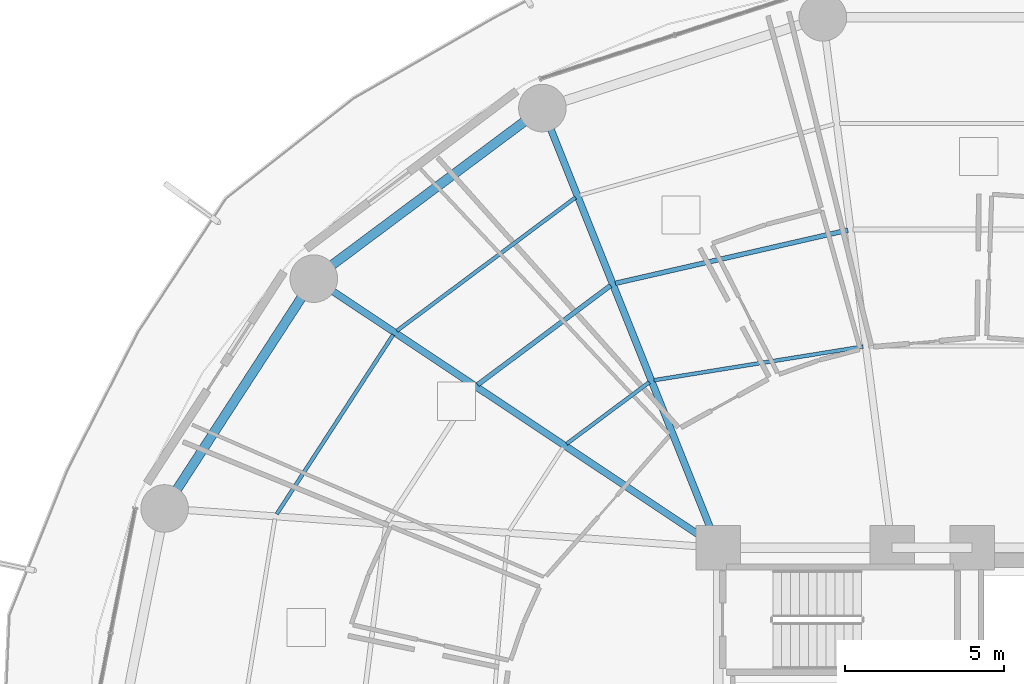
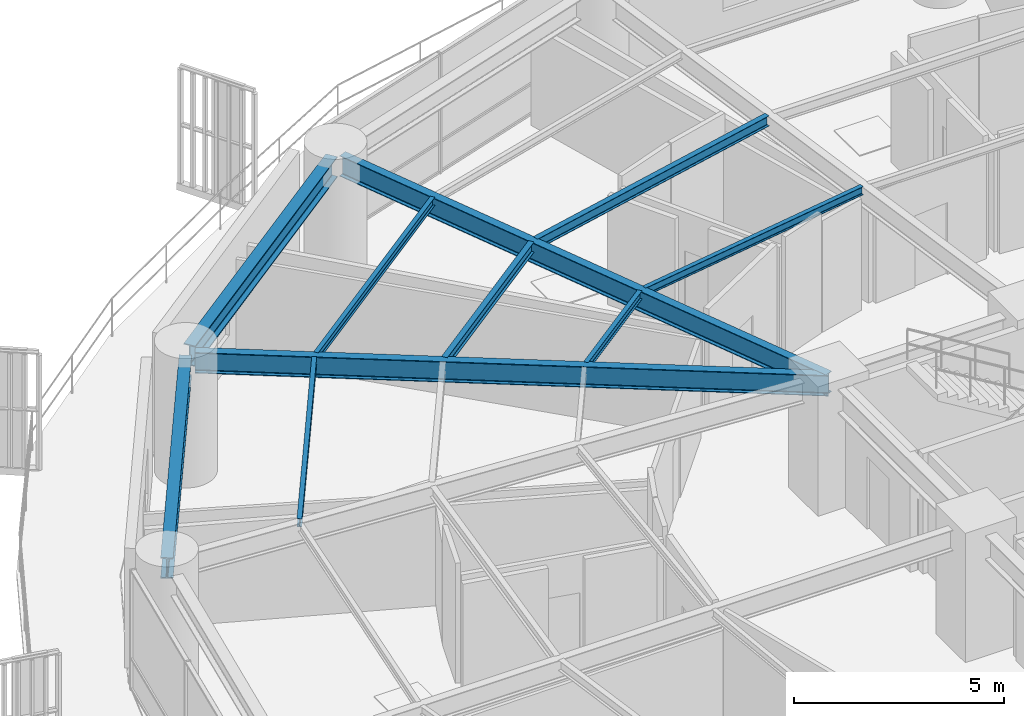
# One storey, part 15 of 35: 10 beams.
"""IFC4 building model written with IfcOpenShell, lengths in metres."""

from ifc_helpers import new_model, si_unit, direction, frame, origin, origin_2d, place, context, subcontext, project, spatial, i_section, extrude, material, material_profile, profile_set, type_object, element, save


model = new_model("IFC4")

# Units and contexts
model_context = context("Model", 3, precision=1e-05, world=origin(), true_north=direction((0.0, 1.0)))
body_context = subcontext(model_context, "Body", "Model", "MODEL_VIEW")
ifc_project = project(units=[si_unit("LENGTHUNIT", "METRE"), si_unit("AREAUNIT", "SQUARE_METRE"), si_unit("VOLUMEUNIT", "CUBIC_METRE"), si_unit("PLANEANGLEUNIT", "RADIAN"), si_unit("MASSUNIT", "GRAM", prefix="KILO")], contexts=[model_context])

# Site, building, storey
site_placement = place(None, origin())
site = spatial("IfcSite", under=ifc_project, at=site_placement, CompositionType="ELEMENT")
building_placement = place(site_placement, origin())
building = spatial("IfcBuilding", under=site, at=building_placement, Name="Kelanora Arch Commons", CompositionType="ELEMENT")
storey_placement = place(building_placement, frame((0.0, 0.0, 22.5)))
storey = spatial("IfcBuildingStorey", under=building, at=storey_placement, Name="L05", CompositionType="ELEMENT", Elevation=22.5)

# Beams
ifc_material = material(Name="Steel S355", Category="steel")
ifc_material_profile_1 = material_profile(ifc_material, i_section(OverallWidth=0.14990234375, OverallDepth=0.300048828125, WebThickness=0.007080078125, FlangeThickness=0.0107421875, FilletRadius=0.014892578125, at=origin_2d()), Name="IPE300")
ifc_profile_set_1 = profile_set([ifc_material_profile_1], Name="Steel S355")
beam_type_1 = type_object("IfcBeamType", Name="BM-JST-01", PredefinedType="JOIST", material=ifc_profile_set_1)
beam_1_placement = place(storey_placement, frame((70.087646484375, 75.009521484375, 3.340087890625), z_axis=(-0.974770159254, -0.223210968877, 0.0), x_axis=(0.223210968877, -0.974770159254, 0.0)))
element("IfcBeam", 1, at=beam_1_placement, inside=storey, type_object=beam_type_1, Name="Secondary Chord Joist BJB-10 L05", PredefinedType="JOIST", context=body_context, shape_type="SweptSolid", body=[
    extrude(i_section(OverallWidth=0.14990234375, OverallDepth=0.300048828125, WebThickness=0.007080078125, FlangeThickness=0.0107421875, FilletRadius=0.014892578125, at=origin_2d()), origin(), (0.0, 0.0, 1.0), 7.5185546875),
])
beam_2_placement = place(storey_placement, frame((62.60791015625, 73.261474609375, 3.340087890625), z_axis=(-0.801478251559, -0.598023922831, 0.0), x_axis=(0.598023922831, -0.801478251559, 0.0)))
element("IfcBeam", 2, at=beam_2_placement, inside=storey, type_object=beam_type_1, Name="Secondary Chord Joist BJB-12 L05", PredefinedType="JOIST", context=body_context, shape_type="SweptSolid", body=[
    extrude(i_section(OverallWidth=0.14990234375, OverallDepth=0.300048828125, WebThickness=0.007080078125, FlangeThickness=0.0107421875, FilletRadius=0.014892578125, at=origin_2d()), origin(), (0.0, 0.0, 1.0), 5.223388671875),
])
ifc_material_profile_2 = material_profile(ifc_material, i_section(OverallWidth=0.1201171875, OverallDepth=0.239990234375, WebThickness=0.006103515625, FlangeThickness=0.009765625, FilletRadius=0.014892578125, at=origin_2d()), Name="IPE240")
ifc_profile_set_2 = profile_set([ifc_material_profile_2], Name="Steel S355")
beam_type_2 = type_object("IfcBeamType", Name="BM-JST-02", PredefinedType="JOIST", material=ifc_profile_set_2)
beam_3_placement = place(storey_placement, frame((70.56689453125, 71.337890625, 3.3701171875), z_axis=(-0.987306715654, -0.158825215959, 0.0), x_axis=(0.158825215959, -0.987306715654, 0.0)))
element("IfcBeam", 3, at=beam_3_placement, inside=storey, type_object=beam_type_2, Name="Secondary Chord Joist BJA-10 L05", PredefinedType="JOIST", context=body_context, shape_type="SweptSolid", body=[
    extrude(i_section(OverallWidth=0.1201171875, OverallDepth=0.239990234375, WebThickness=0.006103515625, FlangeThickness=0.009765625, FilletRadius=0.014892578125, at=origin_2d()), origin(), (0.0, 0.0, 1.0), 6.6728515625),
])
beam_4_placement = place(storey_placement, frame((63.82666015625, 70.213623046875, 3.3701171875), z_axis=(-0.801513822608, -0.59797624716, 0.0), x_axis=(0.59797624716, -0.801513822608, 0.0)))
element("IfcBeam", 4, at=beam_4_placement, inside=storey, type_object=beam_type_2, Name="Secondary Chord Joist BJA-12 L05", PredefinedType="JOIST", context=body_context, shape_type="SweptSolid", body=[
    extrude(i_section(OverallWidth=0.1201171875, OverallDepth=0.239990234375, WebThickness=0.006103515625, FlangeThickness=0.009765625, FilletRadius=0.014892578125, at=origin_2d()), origin(), (0.0, 0.0, 1.0), 3.245849609375),
])
beam_5_placement = place(storey_placement, frame((61.5, 76.0322265625, 3.3701171875), z_axis=(-0.80149131963, -0.598006408459, 0.0), x_axis=(0.598006408459, -0.80149131963, 0.0)))
element("IfcBeam", 5, at=beam_5_placement, inside=storey, type_object=beam_type_2, Name="Secondary Chord Joist BJC-12 L05", PredefinedType="JOIST", context=body_context, shape_type="SweptSolid", body=[
    extrude(i_section(OverallWidth=0.1201171875, OverallDepth=0.239990234375, WebThickness=0.006103515625, FlangeThickness=0.009765625, FilletRadius=0.014892578125, at=origin_2d()), origin(), (0.0, 0.0, 1.0), 7.021240234375),
])
beam_6_placement = place(storey_placement, frame((55.758056640625, 71.711181640625, 3.3701171875), z_axis=(-0.544550165372, -0.838728273873, 0.0), x_axis=(0.838728273873, -0.544550165372, 0.0)))
element("IfcBeam", 6, at=beam_6_placement, inside=storey, type_object=beam_type_2, Name="Secondary Chord Joist BJC-14 L05", PredefinedType="JOIST", context=body_context, shape_type="SweptSolid", body=[
    extrude(i_section(OverallWidth=0.1201171875, OverallDepth=0.239990234375, WebThickness=0.006103515625, FlangeThickness=0.009765625, FilletRadius=0.014892578125, at=origin_2d()), origin(), (0.0, 0.0, 1.0), 6.738037109375),
])
ifc_material_profile_3 = material_profile(ifc_material, i_section(OverallWidth=0.219970703125, OverallDepth=0.60009765625, WebThickness=0.011962890625, FlangeThickness=0.01904296875, FilletRadius=0.02392578125, at=origin_2d()), Name="IPE600")
ifc_profile_set_3 = profile_set([ifc_material_profile_3], Name="Steel S355")
beam_type_3 = type_object("IfcBeamType", Name="BM-RAD-Z1", PredefinedType="BEAM", material=ifc_profile_set_3)
beam_7_placement = place(storey_placement, frame((66.0, 65.0, 3.18994140625), z_axis=(-0.371296182896, 0.928514482691, 0.0), x_axis=(-0.928514482691, -0.371296182896, 0.0)))
element("IfcBeam", 7, at=beam_7_placement, inside=storey, type_object=beam_type_3, Name="Radial Floor Girder BR-12 L05", PredefinedType="BEAM", context=body_context, shape_type="SweptSolid", body=[
    extrude(i_section(OverallWidth=0.219970703125, OverallDepth=0.60009765625, WebThickness=0.011962890625, FlangeThickness=0.01904296875, FilletRadius=0.02392578125, at=origin_2d()), origin(), (0.0, 0.0, 1.0), 14.700439453125),
])
beam_8_placement = place(storey_placement, frame((66.0, 65.0, 3.18994140625), z_axis=(-0.832592623638, 0.553885839379, 0.0), x_axis=(-0.553885839379, -0.832592623638, 0.0)))
element("IfcBeam", 8, at=beam_8_placement, inside=storey, type_object=beam_type_3, Name="Radial Floor Girder BR-14 L05", PredefinedType="BEAM", context=body_context, shape_type="SweptSolid", body=[
    extrude(i_section(OverallWidth=0.219970703125, OverallDepth=0.60009765625, WebThickness=0.011962890625, FlangeThickness=0.01904296875, FilletRadius=0.02392578125, at=origin_2d()), origin(), (0.0, 0.0, 1.0), 15.0869140625),
])
ifc_material_profile_4 = material_profile(ifc_material, i_section(OverallWidth=0.300048828125, OverallDepth=0.60009765625, WebThickness=0.015380859375, FlangeThickness=0.030029296875, FilletRadius=0.027099609375, at=origin_2d()), Name="HEB600")
ifc_profile_set_4 = profile_set([ifc_material_profile_4], Name="Steel S355")
beam_type_4 = type_object("IfcBeamType", Name="BM-SPN-Z1", PredefinedType="SPANDREL", material=ifc_profile_set_4)
beam_9_placement = place(storey_placement, frame((60.28369140625, 78.722412109375, 3.18994140625), z_axis=(-0.801474585329, -0.598028836322, 0.0), x_axis=(0.598028836322, -0.801474585329, 0.0)))
element("IfcBeam", 9, at=beam_9_placement, inside=storey, type_object=beam_type_4, Name="Perimeter Spandrel Beam BS-12 L05", PredefinedType="SPANDREL", context=body_context, shape_type="SweptSolid", body=[
    extrude(i_section(OverallWidth=0.300048828125, OverallDepth=0.60009765625, WebThickness=0.015380859375, FlangeThickness=0.030029296875, FilletRadius=0.027099609375, at=origin_2d()), origin(), (0.0, 0.0, 1.0), 8.549072265625),
])
beam_10_placement = place(storey_placement, frame((53.1357421875, 73.293701171875, 3.18994140625), z_axis=(-0.544583445345, -0.83870666568, 0.0), x_axis=(0.83870666568, -0.544583445345, 0.0)))
element("IfcBeam", 10, at=beam_10_placement, inside=storey, type_object=beam_type_4, Name="Perimeter Spandrel Beam BS-14 L05", PredefinedType="SPANDREL", context=body_context, shape_type="SweptSolid", body=[
    extrude(i_section(OverallWidth=0.300048828125, OverallDepth=0.60009765625, WebThickness=0.015380859375, FlangeThickness=0.030029296875, FilletRadius=0.027099609375, at=origin_2d()), origin(), (0.0, 0.0, 1.0), 8.415283203125),
])

save(model, "model.ifc")
